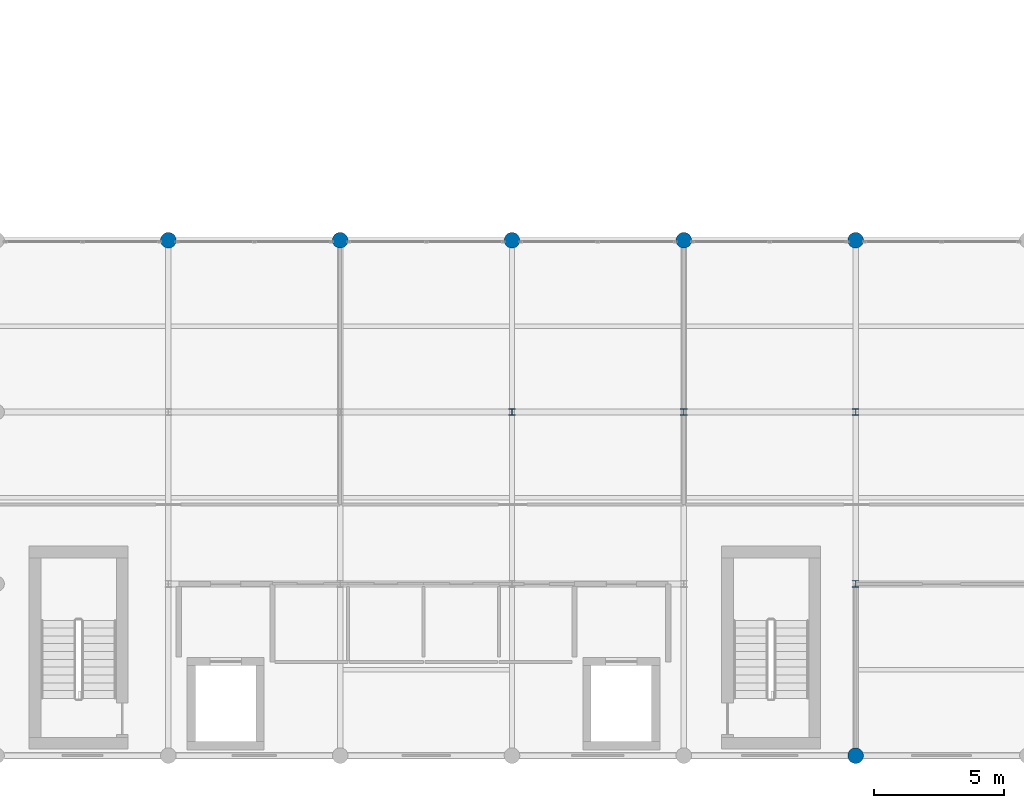
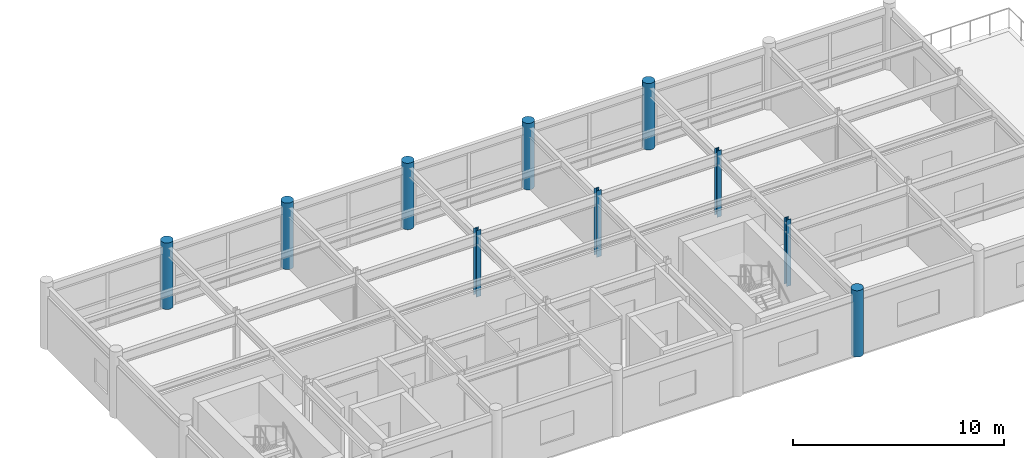
# One storey, part 2 of 28: 10 columns.
"""IFC4 building model written with IfcOpenShell, lengths in metres."""

from ifc_helpers import new_model, si_unit, direction, frame, origin, origin_2d, place, context, subcontext, project, spatial, circle, i_section, extrude, material, material_profile, profile_set, type_object, element, save


model = new_model("IFC4")

# Units and contexts
model_context = context("Model", 3, precision=1e-05, world=origin(), true_north=direction((0.0, 1.0)))
body_context = subcontext(model_context, "Body", "Model", "MODEL_VIEW")
ifc_project = project(units=[si_unit("LENGTHUNIT", "METRE"), si_unit("AREAUNIT", "SQUARE_METRE"), si_unit("VOLUMEUNIT", "CUBIC_METRE"), si_unit("PLANEANGLEUNIT", "RADIAN"), si_unit("MASSUNIT", "GRAM", prefix="KILO")], contexts=[model_context])

# Site, building, storey
site_placement = place(None, origin())
site = spatial("IfcSite", under=ifc_project, at=site_placement, CompositionType="ELEMENT")
building_placement = place(site_placement, origin())
building = spatial("IfcBuilding", under=site, at=building_placement, Name="Karori Crest Natural Sciences Institute", CompositionType="ELEMENT")
storey_placement = place(building_placement, frame((0.0, 0.0, 34.300048828125)))
storey = spatial("IfcBuildingStorey", under=building, at=storey_placement, Name="L08", CompositionType="ELEMENT", Elevation=34.300048828125)

# Columns
ifc_material_1 = material(Name="Structural steel AS/NZS 3679.1 Grade 350", Category="steel")
ifc_material_profile_1 = material_profile(ifc_material_1, i_section(OverallWidth=0.25390625, OverallDepth=0.25390625, WebThickness=0.008544921875, FlangeThickness=0.01416015625, FilletRadius=0.013916015625, at=origin_2d()), Name="250UC72.9")
ifc_profile_set_1 = profile_set([ifc_material_profile_1], Name="Structural steel AS/NZS 3679.1 Grade 350")
column_type_1 = type_object("IfcColumnType", Name="CT-07-IL", PredefinedType="COLUMN", material=ifc_profile_set_1)
for number, where, z_axis, x_axis, name in (
    (1, (123.39990234375, 14.0, 0.0), (0.0, 0.0, 1.0), (1.0, 0.0, 0.0), "Column C-1194"),
    (2, (130.0, 14.0, 0.0), (0.0, 0.0, 1.0), (1.0, 0.0, 0.0), "Column C-1242"),
    (3, (136.60009765625, 7.39990234375, 0.0), (0.0, 0.0, 1.0), (1.0, 0.0, 0.0), "Column C-1278"),
    (4, (136.60009765625, 14.0, 0.0), (0.0, 0.0, 1.0), (1.0, 0.0, 0.0), "Column C-1290"),
):
    element("IfcColumn", number, at=place(storey_placement, frame(where, z_axis=z_axis, x_axis=x_axis)), inside=storey, type_object=column_type_1, Name=name, PredefinedType="COLUMN", context=body_context, shape_type="SweptSolid", body=[
        extrude(i_section(OverallWidth=0.25390625, OverallDepth=0.25390625, WebThickness=0.008544921875, FlangeThickness=0.01416015625, FilletRadius=0.013916015625, at=origin_2d()), origin(), (0.0, 0.0, 1.0), 3.849853515625),
    ])
ifc_material_2 = material(Name="Concrete 50 MPa", Category="concrete")
ifc_material_profile_2 = material_profile(ifc_material_2, circle(Radius=0.300048828125, at=origin_2d()), Name="RCC600")
ifc_profile_set_2 = profile_set([ifc_material_profile_2], Name="Concrete 50 MPa")
column_type_2 = type_object("IfcColumnType", Name="CT-24", PredefinedType="PILASTER", material=ifc_profile_set_2)
for number, where, z_axis, x_axis, name in (
    (5, (110.199951171875, 20.60009765625, 0.0), (0.0, 0.0, 1.0), (1.0, 0.0, 0.0), "Column C-1110"),
    (6, (116.800048828125, 20.60009765625, 0.0), (0.0, 0.0, 1.0), (1.0, 0.0, 0.0), "Column C-1158"),
    (7, (123.39990234375, 20.60009765625, 0.0), (0.0, 0.0, 1.0), (1.0, 0.0, 0.0), "Column C-1206"),
    (8, (130.0, 20.60009765625, 0.0), (0.0, 0.0, 1.0), (1.0, 0.0, 0.0), "Column C-1254"),
    (9, (136.60009765625, 0.800048828125, 0.0), (0.0, 0.0, 1.0), (1.0, 0.0, 0.0), "Column C-1266"),
    (10, (136.60009765625, 20.60009765625, 0.0), (0.0, 0.0, 1.0), (1.0, 0.0, 0.0), "Column C-1302"),
):
    element("IfcColumn", number, at=place(storey_placement, frame(where, z_axis=z_axis, x_axis=x_axis)), inside=storey, type_object=column_type_2, Name=name, PredefinedType="PILASTER", context=body_context, shape_type="SweptSolid", body=[
        extrude(circle(Radius=0.300048828125, at=origin_2d()), origin(), (0.0, 0.0, 1.0), 3.849853515625),
    ])

save(model, "model.ifc")
